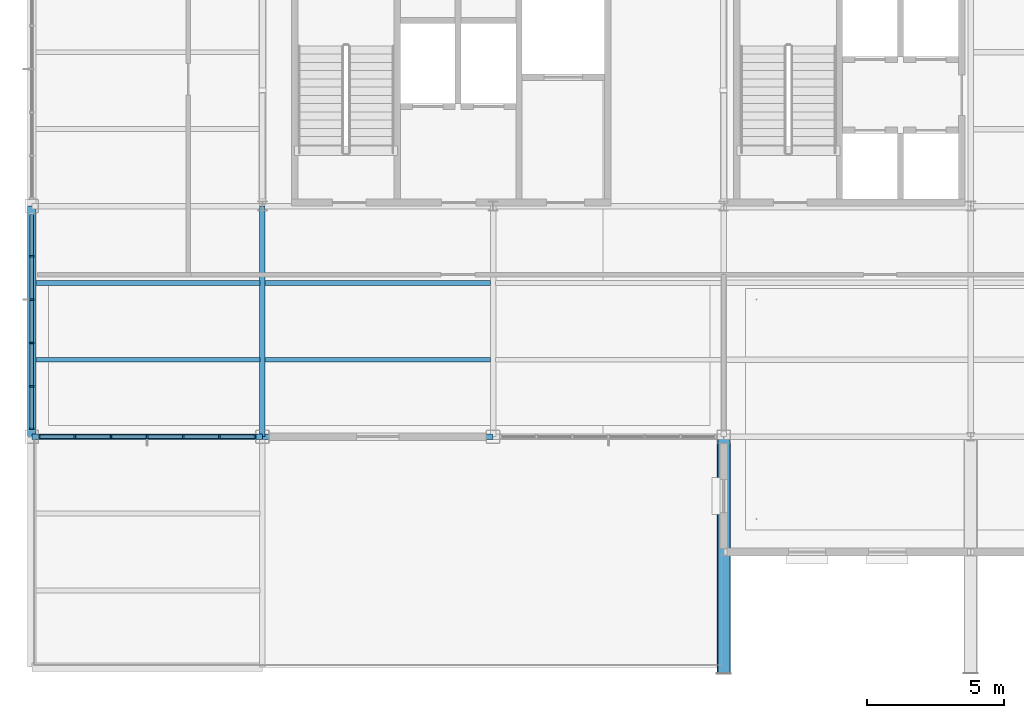
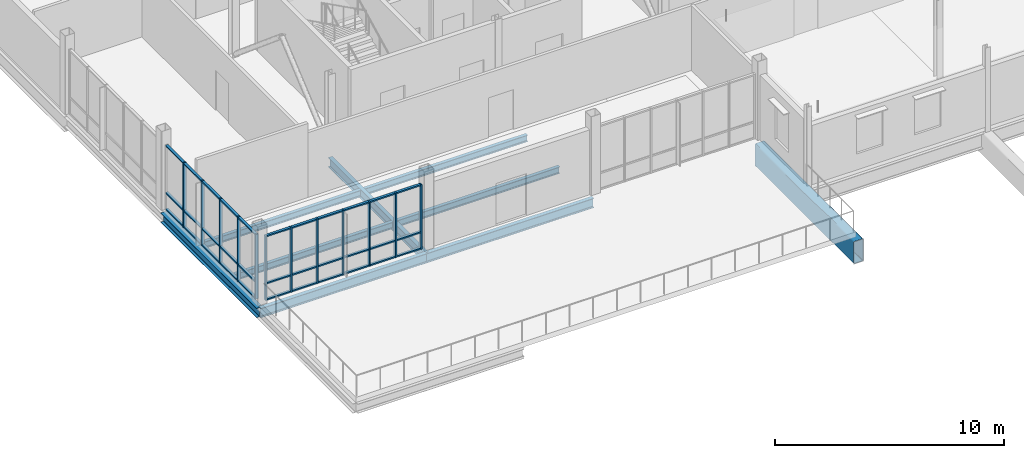
# One storey, part 4 of 22: 45 members, 9 beams, 2 elements without a shape of their own.
"""IFC4 building model written with IfcOpenShell, lengths in metres."""

from ifc_helpers import new_model, si_unit, direction, frame, origin, origin_2d, place, context, subcontext, project, spatial, rectangle, hollow_rectangle, i_section, extrude, material, layer, layer_set, material_profile, profile_set, type_object, element, aggregate, save


model = new_model("IFC4")

# Units and contexts
model_context = context("Model", 3, precision=1e-05, world=origin(), true_north=direction((0.0, 1.0)))
body_context = subcontext(model_context, "Body", "Model", "MODEL_VIEW")
ifc_project = project(units=[si_unit("LENGTHUNIT", "METRE"), si_unit("AREAUNIT", "SQUARE_METRE"), si_unit("VOLUMEUNIT", "CUBIC_METRE"), si_unit("PLANEANGLEUNIT", "RADIAN"), si_unit("MASSUNIT", "GRAM", prefix="KILO")], contexts=[model_context])

# Site, building, storey
site_placement = place(None, origin())
site = spatial("IfcSite", under=ifc_project, at=site_placement, CompositionType="ELEMENT")
building_placement = place(site_placement, origin())
building = spatial("IfcBuilding", under=site, at=building_placement, Name="Yukiwa Park Conservatory and Herbarium", CompositionType="ELEMENT")
storey_placement = place(building_placement, frame((0.0, 0.0, 35.39990234375)))
storey = spatial("IfcBuildingStorey", under=building, at=storey_placement, Name="L09", CompositionType="ELEMENT", Elevation=35.39990234375)

# Beams
ifc_material_1 = material(Name="Steel Q355D", Category="steel")
ifc_material_profile_1 = material_profile(ifc_material_1, i_section(OverallWidth=0.199951171875, OverallDepth=0.5, WebThickness=0.010009765625, FlangeThickness=0.01611328125, FilletRadius=0.02001953125, at=origin_2d()), Name="HN 500x200x10x16")
ifc_profile_set_1 = profile_set([ifc_material_profile_1], Name="Steel Q355D")
beam_type_1 = type_object("IfcBeamType", Name="BM-GRD-HN500", PredefinedType="BEAM", material=ifc_profile_set_1)
beam_1_placement = place(storey_placement, frame((124.805908203125, 86.39990234375, -0.554931640625), z_axis=(1.0, 0.0, 0.0), x_axis=(0.0, 1.0, 0.0)))
element("IfcBeam", 1, at=beam_1_placement, inside=storey, type_object=beam_type_1, Name="L09 grid beam X-4", PredefinedType="BEAM", context=body_context, shape_type="SweptSolid", body=[
    extrude(i_section(OverallWidth=0.199951171875, OverallDepth=0.5, WebThickness=0.010009765625, FlangeThickness=0.01611328125, FilletRadius=0.02001953125, at=origin_2d()), origin(), (0.0, 0.0, 1.0), 8.38818359375),
])
for number, where, z_axis, x_axis, name in (
    (2, (133.2060546875, 86.39990234375, -0.554931640625), (1.0, 0.0, 0.0), (0.0, 1.0, 0.0), "L09 grid beam X-5"),
    (3, (133.199951171875, 86.406005859375, -0.554931640625), (0.0, 1.0, 0.0), (-1.0, 0.0, 0.0), "L09 grid girder Y-29"),
):
    element("IfcBeam", number, at=place(storey_placement, frame(where, z_axis=z_axis, x_axis=x_axis)), inside=storey, type_object=beam_type_1, Name=name, PredefinedType="BEAM", context=body_context, shape_type="SweptSolid", body=[
        extrude(i_section(OverallWidth=0.199951171875, OverallDepth=0.5, WebThickness=0.010009765625, FlangeThickness=0.01611328125, FilletRadius=0.02001953125, at=origin_2d()), origin(), (0.0, 0.0, 1.0), 8.387939453125),
    ])
ifc_material_2 = material(Name="Steel Q355D", Category="steel")
ifc_material_profile_2 = material_profile(ifc_material_2, i_section(OverallWidth=0.175048828125, OverallDepth=0.35009765625, WebThickness=0.007080078125, FlangeThickness=0.010986328125, FilletRadius=0.013916015625, at=origin_2d()), Name="HN 350x175x7x11")
ifc_profile_set_2 = profile_set([ifc_material_profile_2], Name="Steel Q355D")
beam_type_2 = type_object("IfcBeamType", Name="BM-JST-HN350", PredefinedType="JOIST", material=ifc_profile_set_2)
for number, where, z_axis, x_axis, name in (
    (4, (124.946044921875, 89.199951171875, -0.47998046875), (1.0, 0.0, 0.0), (0.0, 1.0, 0.0), "L09 composite floor joist 3"),
    (5, (124.946044921875, 92.0, -0.47998046875), (1.0, 0.0, 0.0), (0.0, 1.0, 0.0), "L09 composite floor joist 4"),
):
    element("IfcBeam", number, at=place(storey_placement, frame(where, z_axis=z_axis, x_axis=x_axis)), inside=storey, type_object=beam_type_2, Name=name, PredefinedType="JOIST", context=body_context, shape_type="SweptSolid", body=[
        extrude(i_section(OverallWidth=0.175048828125, OverallDepth=0.35009765625, WebThickness=0.007080078125, FlangeThickness=0.010986328125, FilletRadius=0.013916015625, at=origin_2d()), origin(), (0.0, 0.0, 1.0), 8.157958984375),
    ])
for number, where, z_axis, x_axis, name in (
    (6, (133.2958984375, 89.199951171875, -0.47998046875), (1.0, 0.0, 0.0), (0.0, 1.0, 0.0), "L09 composite floor joist 9"),
    (7, (133.2958984375, 92.0, -0.47998046875), (1.0, 0.0, 0.0), (0.0, 1.0, 0.0), "L09 composite floor joist 10"),
):
    element("IfcBeam", number, at=place(storey_placement, frame(where, z_axis=z_axis, x_axis=x_axis)), inside=storey, type_object=beam_type_2, Name=name, PredefinedType="JOIST", context=body_context, shape_type="SweptSolid", body=[
        extrude(i_section(OverallWidth=0.175048828125, OverallDepth=0.35009765625, WebThickness=0.007080078125, FlangeThickness=0.010986328125, FilletRadius=0.013916015625, at=origin_2d()), origin(), (0.0, 0.0, 1.0), 8.2080078125),
    ])
ifc_material_3 = material(Name="Steel Q355D", Category="steel")
ifc_material_profile_3 = material_profile(ifc_material_3, i_section(OverallWidth=0.300048828125, OverallDepth=0.5, WebThickness=0.010986328125, FlangeThickness=0.01806640625, FilletRadius=0.02392578125, at=origin_2d()), Name="HM 500x300x11x18")
ifc_profile_set_3 = profile_set([ifc_material_profile_3], Name="Steel Q355D")
beam_type_3 = type_object("IfcBeamType", Name="BM-SPN-HN500", PredefinedType="SPANDREL", material=ifc_profile_set_3)
beam_2_placement = place(storey_placement, frame((124.800048828125, 86.406005859375, -0.554931640625), z_axis=(0.0, 1.0, 0.0), x_axis=(-1.0, 0.0, 0.0)))
element("IfcBeam", 8, at=beam_2_placement, inside=storey, type_object=beam_type_3, Name="L09 spandrel girder Y-25", PredefinedType="SPANDREL", context=body_context, shape_type="SweptSolid", body=[
    extrude(i_section(OverallWidth=0.300048828125, OverallDepth=0.5, WebThickness=0.010986328125, FlangeThickness=0.01806640625, FilletRadius=0.02392578125, at=origin_2d()), origin(), (0.0, 0.0, 1.0), 8.387939453125),
])
ifc_material_4 = material(Name="Steel Q355D", Category="steel")
ifc_material_profile_4 = material_profile(ifc_material_4, hollow_rectangle(XDim=0.5, YDim=1.199951171875, WallThickness=0.031982421875, InnerFilletRadius=0.031982421875, OuterFilletRadius=0.06396484375, at=origin_2d()), Name="BOX 1200x500x32")
ifc_profile_set_4 = profile_set([ifc_material_profile_4], Name="Steel Q355D")
beam_type_4 = type_object("IfcBeamType", Name="BM-TG2-1200", PredefinedType="BEAM", material=ifc_profile_set_4)
beam_3_placement = place(storey_placement, frame((150.0, 77.780029296875, -0.90478515625), z_axis=(0.0, 1.0, 0.0), x_axis=(-1.0, 0.0, 0.0)))
element("IfcBeam", 9, at=beam_3_placement, inside=storey, type_object=beam_type_4, Name="Transfer girder TG-2.1 at L09 south sky setback", PredefinedType="BEAM", context=body_context, shape_type="SweptSolid", body=[
    extrude(hollow_rectangle(XDim=0.5, YDim=1.199951171875, WallThickness=0.031982421875, InnerFilletRadius=0.031982421875, OuterFilletRadius=0.06396484375, at=origin_2d()), origin(), (0.0, 0.0, 1.0), 8.614013671875),
])

# Curtain wall, members
ifc_material_5 = material(Name="Triple Low-E Insulated Glass", Category="glass")
ifc_layer_1 = layer(ifc_material_5, 0.260009765625)
ifc_layer_set_1 = layer_set([ifc_layer_1], Name="Triple Low-E Insulated Glass")
curtain_wall_type_1 = type_object("IfcCurtainWallType", Name="CW-TOWER-LAB-W-1500", PredefinedType="NOTDEFINED", material=ifc_layer_set_1)
curtain_wall_1_placement = place(storey_placement, origin())
curtain_wall_1 = element("IfcCurtainWall", 10, at=curtain_wall_1_placement, inside=storey, type_object=curtain_wall_type_1, Name="L09 unitised curtain wall CW-L09-102", PredefinedType="NOTDEFINED")
ifc_material_6 = material(Name="Anodised Aluminium", Category="aluminium")
member_type_1 = type_object("IfcMemberType", Name="MB-CW-MUL-70X150", PredefinedType="MULLION", material=ifc_material_6)
member_1_placement = place(storey_placement, frame((124.800048828125, 92.969970703125, 0.0), z_axis=(0.0, 0.0, 1.0), x_axis=(0.0, -1.0, 0.0)))
member_1 = element("IfcMember", 11, at=member_1_placement, type_object=member_type_1, Name="CW-L09-102 mullion 2", PredefinedType="MULLION", context=body_context, shape_type="SweptSolid", body=[
    extrude(rectangle(XDim=0.070068359375, YDim=0.14990234375, at=origin_2d()), origin(), (0.0, 0.0, 1.0), 3.447998046875),
])
member_2_placement = place(storey_placement, frame((124.800048828125, 91.389892578125, 0.0), z_axis=(0.0, 0.0, 1.0), x_axis=(0.0, -1.0, 0.0)))
member_2 = element("IfcMember", 12, at=member_2_placement, type_object=member_type_1, Name="CW-L09-102 mullion 3", PredefinedType="MULLION", context=body_context, shape_type="SweptSolid", body=[
    extrude(rectangle(XDim=0.070068359375, YDim=0.14990234375, at=origin_2d()), origin(), (0.0, 0.0, 1.0), 3.447998046875),
])
member_3_placement = place(storey_placement, frame((124.800048828125, 89.81005859375, 0.0), z_axis=(0.0, 0.0, 1.0), x_axis=(0.0, -1.0, 0.0)))
member_3 = element("IfcMember", 13, at=member_3_placement, type_object=member_type_1, Name="CW-L09-102 mullion 4", PredefinedType="MULLION", context=body_context, shape_type="SweptSolid", body=[
    extrude(rectangle(XDim=0.070068359375, YDim=0.14990234375, at=origin_2d()), origin(), (0.0, 0.0, 1.0), 3.447998046875),
])
member_4_placement = place(storey_placement, frame((124.800048828125, 88.22998046875, 0.0), z_axis=(0.0, 0.0, 1.0), x_axis=(0.0, -1.0, 0.0)))
member_4 = element("IfcMember", 14, at=member_4_placement, type_object=member_type_1, Name="CW-L09-102 mullion 5", PredefinedType="MULLION", context=body_context, shape_type="SweptSolid", body=[
    extrude(rectangle(XDim=0.070068359375, YDim=0.14990234375, at=origin_2d()), origin(), (0.0, 0.0, 1.0), 3.447998046875),
])
member_5_placement = place(storey_placement, frame((124.800048828125, 86.68505859375, 0.0), z_axis=(0.0, 0.0, 1.0), x_axis=(0.0, -1.0, 0.0)))
member_5 = element("IfcMember", 15, at=member_5_placement, type_object=member_type_1, Name="CW-L09-102 mullion 6", PredefinedType="MULLION", context=body_context, shape_type="SweptSolid", body=[
    extrude(rectangle(XDim=0.070068359375, YDim=0.14990234375, at=origin_2d()), origin(), (0.0, 0.0, 1.0), 3.447998046875),
])

ifc_material_7 = material(Name="Triple Low-E Insulated Glass", Category="glass")
ifc_layer_2 = layer(ifc_material_7, 0.248046875)
ifc_layer_set_2 = layer_set([ifc_layer_2], Name="Triple Low-E Insulated Glass")
curtain_wall_type_2 = type_object("IfcCurtainWallType", Name="CW-TOWER-LAB-S-1400", PredefinedType="NOTDEFINED", material=ifc_layer_set_2)
curtain_wall_2_placement = place(storey_placement, origin())
curtain_wall_2 = element("IfcCurtainWall", 16, at=curtain_wall_2_placement, inside=storey, type_object=curtain_wall_type_2, Name="L09 unitised curtain wall CW-L09-103", PredefinedType="NOTDEFINED")
member_6_placement = place(storey_placement, frame((125.0849609375, 86.39990234375, 0.0), z_axis=(0.0, 0.0, 1.0), x_axis=(1.0, 0.0, 0.0)))
member_6 = element("IfcMember", 17, at=member_6_placement, type_object=member_type_1, Name="CW-L09-103 mullion 1", PredefinedType="MULLION", context=body_context, shape_type="SweptSolid", body=[
    extrude(rectangle(XDim=0.070068359375, YDim=0.14990234375, at=origin_2d()), origin(), (0.0, 0.0, 1.0), 3.447998046875),
])
member_7_placement = place(storey_placement, frame((126.36669921875, 86.39990234375, 0.0), z_axis=(0.0, 0.0, 1.0), x_axis=(1.0, 0.0, 0.0)))
member_7 = element("IfcMember", 18, at=member_7_placement, type_object=member_type_1, Name="CW-L09-103 mullion 2", PredefinedType="MULLION", context=body_context, shape_type="SweptSolid", body=[
    extrude(rectangle(XDim=0.070068359375, YDim=0.14990234375, at=origin_2d()), origin(), (0.0, 0.0, 1.0), 3.447998046875),
])
member_8_placement = place(storey_placement, frame((127.683349609375, 86.39990234375, 0.0), z_axis=(0.0, 0.0, 1.0), x_axis=(1.0, 0.0, 0.0)))
member_8 = element("IfcMember", 19, at=member_8_placement, type_object=member_type_1, Name="CW-L09-103 mullion 3", PredefinedType="MULLION", context=body_context, shape_type="SweptSolid", body=[
    extrude(rectangle(XDim=0.070068359375, YDim=0.14990234375, at=origin_2d()), origin(), (0.0, 0.0, 1.0), 3.447998046875),
])
member_9_placement = place(storey_placement, frame((129.0, 86.39990234375, 0.0), z_axis=(0.0, 0.0, 1.0), x_axis=(1.0, 0.0, 0.0)))
member_9 = element("IfcMember", 20, at=member_9_placement, type_object=member_type_1, Name="CW-L09-103 mullion 4", PredefinedType="MULLION", context=body_context, shape_type="SweptSolid", body=[
    extrude(rectangle(XDim=0.070068359375, YDim=0.14990234375, at=origin_2d()), origin(), (0.0, 0.0, 1.0), 3.447998046875),
])
member_10_placement = place(storey_placement, frame((130.316650390625, 86.39990234375, 0.0), z_axis=(0.0, 0.0, 1.0), x_axis=(1.0, 0.0, 0.0)))
member_10 = element("IfcMember", 21, at=member_10_placement, type_object=member_type_1, Name="CW-L09-103 mullion 5", PredefinedType="MULLION", context=body_context, shape_type="SweptSolid", body=[
    extrude(rectangle(XDim=0.070068359375, YDim=0.14990234375, at=origin_2d()), origin(), (0.0, 0.0, 1.0), 3.447998046875),
])
member_11_placement = place(storey_placement, frame((131.63330078125, 86.39990234375, 0.0), z_axis=(0.0, 0.0, 1.0), x_axis=(1.0, 0.0, 0.0)))
member_11 = element("IfcMember", 22, at=member_11_placement, type_object=member_type_1, Name="CW-L09-103 mullion 6", PredefinedType="MULLION", context=body_context, shape_type="SweptSolid", body=[
    extrude(rectangle(XDim=0.070068359375, YDim=0.14990234375, at=origin_2d()), origin(), (0.0, 0.0, 1.0), 3.447998046875),
])
member_12_placement = place(storey_placement, frame((132.9150390625, 86.39990234375, 0.0), z_axis=(0.0, 0.0, 1.0), x_axis=(1.0, 0.0, 0.0)))
member_12 = element("IfcMember", 23, at=member_12_placement, type_object=member_type_1, Name="CW-L09-103 mullion 7", PredefinedType="MULLION", context=body_context, shape_type="SweptSolid", body=[
    extrude(rectangle(XDim=0.070068359375, YDim=0.14990234375, at=origin_2d()), origin(), (0.0, 0.0, 1.0), 3.447998046875),
])

# Member
ifc_material_8 = material(Name="Anodised Aluminium", Category="aluminium")
member_type_2 = type_object("IfcMemberType", Name="MB-CW-TRN-70X130", PredefinedType="USERDEFINED", material=ifc_material_8)
member_13_placement = place(storey_placement, frame((124.800048828125, 93.760009765625, 0.0), z_axis=(0.0, 0.0, 1.0), x_axis=(0.0, -1.0, 0.0)))
member_13 = element("IfcMember", 24, at=member_13_placement, type_object=member_type_2, Name="CW-L09-102 transom 1.1", ObjectType="TRANSOM", PredefinedType="USERDEFINED", context=body_context, shape_type="SweptSolid", body=[
    extrude(rectangle(XDim=1.510009765625, YDim=0.1298828125, at=origin_2d()), origin(), (0.0, 0.0, 1.0), 0.070068359375),
])

member_14_placement = place(storey_placement, frame((124.800048828125, 93.760009765625, 0.865234375), z_axis=(0.0, 0.0, 1.0), x_axis=(0.0, -1.0, 0.0)))
member_14 = element("IfcMember", 25, at=member_14_placement, type_object=member_type_2, Name="CW-L09-102 transom 1.2", ObjectType="TRANSOM", PredefinedType="USERDEFINED", context=body_context, shape_type="SweptSolid", body=[
    extrude(rectangle(XDim=1.510009765625, YDim=0.1298828125, at=origin_2d()), origin(), (0.0, 0.0, 1.0), 0.070068359375),
])

member_15_placement = place(storey_placement, frame((124.800048828125, 93.760009765625, 3.3779296875), z_axis=(0.0, 0.0, 1.0), x_axis=(0.0, -1.0, 0.0)))
member_15 = element("IfcMember", 26, at=member_15_placement, type_object=member_type_2, Name="CW-L09-102 transom 1.3", ObjectType="TRANSOM", PredefinedType="USERDEFINED", context=body_context, shape_type="SweptSolid", body=[
    extrude(rectangle(XDim=1.510009765625, YDim=0.1298828125, at=origin_2d()), origin(), (0.0, 0.0, 1.0), 0.070068359375),
])

member_16_placement = place(storey_placement, frame((124.800048828125, 92.179931640625, 0.0), z_axis=(0.0, 0.0, 1.0), x_axis=(0.0, -1.0, 0.0)))
member_16 = element("IfcMember", 27, at=member_16_placement, type_object=member_type_2, Name="CW-L09-102 transom 2.1", ObjectType="TRANSOM", PredefinedType="USERDEFINED", context=body_context, shape_type="SweptSolid", body=[
    extrude(rectangle(XDim=1.510009765625, YDim=0.1298828125, at=origin_2d()), origin(), (0.0, 0.0, 1.0), 0.070068359375),
])

member_17_placement = place(storey_placement, frame((124.800048828125, 92.179931640625, 0.865234375), z_axis=(0.0, 0.0, 1.0), x_axis=(0.0, -1.0, 0.0)))
member_17 = element("IfcMember", 28, at=member_17_placement, type_object=member_type_2, Name="CW-L09-102 transom 2.2", ObjectType="TRANSOM", PredefinedType="USERDEFINED", context=body_context, shape_type="SweptSolid", body=[
    extrude(rectangle(XDim=1.510009765625, YDim=0.1298828125, at=origin_2d()), origin(), (0.0, 0.0, 1.0), 0.070068359375),
])

member_18_placement = place(storey_placement, frame((124.800048828125, 92.179931640625, 3.3779296875), z_axis=(0.0, 0.0, 1.0), x_axis=(0.0, -1.0, 0.0)))
member_18 = element("IfcMember", 29, at=member_18_placement, type_object=member_type_2, Name="CW-L09-102 transom 2.3", ObjectType="TRANSOM", PredefinedType="USERDEFINED", context=body_context, shape_type="SweptSolid", body=[
    extrude(rectangle(XDim=1.510009765625, YDim=0.1298828125, at=origin_2d()), origin(), (0.0, 0.0, 1.0), 0.070068359375),
])

member_19_placement = place(storey_placement, frame((124.800048828125, 90.60009765625, 0.0), z_axis=(0.0, 0.0, 1.0), x_axis=(0.0, -1.0, 0.0)))
member_19 = element("IfcMember", 30, at=member_19_placement, type_object=member_type_2, Name="CW-L09-102 transom 3.1", ObjectType="TRANSOM", PredefinedType="USERDEFINED", context=body_context, shape_type="SweptSolid", body=[
    extrude(rectangle(XDim=1.510009765625, YDim=0.1298828125, at=origin_2d()), origin(), (0.0, 0.0, 1.0), 0.070068359375),
])

member_20_placement = place(storey_placement, frame((124.800048828125, 90.60009765625, 0.865234375), z_axis=(0.0, 0.0, 1.0), x_axis=(0.0, -1.0, 0.0)))
member_20 = element("IfcMember", 31, at=member_20_placement, type_object=member_type_2, Name="CW-L09-102 transom 3.2", ObjectType="TRANSOM", PredefinedType="USERDEFINED", context=body_context, shape_type="SweptSolid", body=[
    extrude(rectangle(XDim=1.510009765625, YDim=0.1298828125, at=origin_2d()), origin(), (0.0, 0.0, 1.0), 0.070068359375),
])

member_21_placement = place(storey_placement, frame((124.800048828125, 90.60009765625, 3.3779296875), z_axis=(0.0, 0.0, 1.0), x_axis=(0.0, -1.0, 0.0)))
member_21 = element("IfcMember", 32, at=member_21_placement, type_object=member_type_2, Name="CW-L09-102 transom 3.3", ObjectType="TRANSOM", PredefinedType="USERDEFINED", context=body_context, shape_type="SweptSolid", body=[
    extrude(rectangle(XDim=1.510009765625, YDim=0.1298828125, at=origin_2d()), origin(), (0.0, 0.0, 1.0), 0.070068359375),
])

member_22_placement = place(storey_placement, frame((124.800048828125, 89.02001953125, 0.0), z_axis=(0.0, 0.0, 1.0), x_axis=(0.0, -1.0, 0.0)))
member_22 = element("IfcMember", 33, at=member_22_placement, type_object=member_type_2, Name="CW-L09-102 transom 4.1", ObjectType="TRANSOM", PredefinedType="USERDEFINED", context=body_context, shape_type="SweptSolid", body=[
    extrude(rectangle(XDim=1.510009765625, YDim=0.1298828125, at=origin_2d()), origin(), (0.0, 0.0, 1.0), 0.070068359375),
])

member_23_placement = place(storey_placement, frame((124.800048828125, 89.02001953125, 0.865234375), z_axis=(0.0, 0.0, 1.0), x_axis=(0.0, -1.0, 0.0)))
member_23 = element("IfcMember", 34, at=member_23_placement, type_object=member_type_2, Name="CW-L09-102 transom 4.2", ObjectType="TRANSOM", PredefinedType="USERDEFINED", context=body_context, shape_type="SweptSolid", body=[
    extrude(rectangle(XDim=1.510009765625, YDim=0.1298828125, at=origin_2d()), origin(), (0.0, 0.0, 1.0), 0.070068359375),
])

member_24_placement = place(storey_placement, frame((124.800048828125, 89.02001953125, 3.3779296875), z_axis=(0.0, 0.0, 1.0), x_axis=(0.0, -1.0, 0.0)))
member_24 = element("IfcMember", 35, at=member_24_placement, type_object=member_type_2, Name="CW-L09-102 transom 4.3", ObjectType="TRANSOM", PredefinedType="USERDEFINED", context=body_context, shape_type="SweptSolid", body=[
    extrude(rectangle(XDim=1.510009765625, YDim=0.1298828125, at=origin_2d()), origin(), (0.0, 0.0, 1.0), 0.070068359375),
])

member_25_placement = place(storey_placement, frame((124.800048828125, 87.43994140625, 0.0), z_axis=(0.0, 0.0, 1.0), x_axis=(0.0, -1.0, 0.0)))
member_25 = element("IfcMember", 36, at=member_25_placement, type_object=member_type_2, Name="CW-L09-102 transom 5.1", ObjectType="TRANSOM", PredefinedType="USERDEFINED", context=body_context, shape_type="SweptSolid", body=[
    extrude(rectangle(XDim=1.510009765625, YDim=0.1298828125, at=origin_2d()), origin(), (0.0, 0.0, 1.0), 0.070068359375),
])

member_26_placement = place(storey_placement, frame((124.800048828125, 87.43994140625, 0.865234375), z_axis=(0.0, 0.0, 1.0), x_axis=(0.0, -1.0, 0.0)))
member_26 = element("IfcMember", 37, at=member_26_placement, type_object=member_type_2, Name="CW-L09-102 transom 5.2", ObjectType="TRANSOM", PredefinedType="USERDEFINED", context=body_context, shape_type="SweptSolid", body=[
    extrude(rectangle(XDim=1.510009765625, YDim=0.1298828125, at=origin_2d()), origin(), (0.0, 0.0, 1.0), 0.070068359375),
])

member_27_placement = place(storey_placement, frame((124.800048828125, 87.43994140625, 3.3779296875), z_axis=(0.0, 0.0, 1.0), x_axis=(0.0, -1.0, 0.0)))
member_27 = element("IfcMember", 38, at=member_27_placement, type_object=member_type_2, Name="CW-L09-102 transom 5.3", ObjectType="TRANSOM", PredefinedType="USERDEFINED", context=body_context, shape_type="SweptSolid", body=[
    extrude(rectangle(XDim=1.510009765625, YDim=0.1298828125, at=origin_2d()), origin(), (0.0, 0.0, 1.0), 0.070068359375),
])

aggregate(curtain_wall_1, [member_1, member_2, member_3, member_4, member_5, member_13, member_14, member_15, member_16, member_17, member_18, member_19, member_20, member_21, member_22, member_23, member_24, member_25, member_26, member_27])

member_28_placement = place(storey_placement, frame((125.708251953125, 86.39990234375, 0.0), z_axis=(0.0, 0.0, 1.0), x_axis=(1.0, 0.0, 0.0)))
member_28 = element("IfcMember", 39, at=member_28_placement, type_object=member_type_2, Name="CW-L09-103 transom 1.1", ObjectType="TRANSOM", PredefinedType="USERDEFINED", context=body_context, shape_type="SweptSolid", body=[
    extrude(rectangle(XDim=1.24658203125, YDim=0.1298828125, at=origin_2d()), origin(), (0.0, 0.0, 1.0), 0.070068359375),
])

member_29_placement = place(storey_placement, frame((125.708251953125, 86.39990234375, 0.865234375), z_axis=(0.0, 0.0, 1.0), x_axis=(1.0, 0.0, 0.0)))
member_29 = element("IfcMember", 40, at=member_29_placement, type_object=member_type_2, Name="CW-L09-103 transom 1.2", ObjectType="TRANSOM", PredefinedType="USERDEFINED", context=body_context, shape_type="SweptSolid", body=[
    extrude(rectangle(XDim=1.24658203125, YDim=0.1298828125, at=origin_2d()), origin(), (0.0, 0.0, 1.0), 0.070068359375),
])

member_30_placement = place(storey_placement, frame((125.708251953125, 86.39990234375, 3.3779296875), z_axis=(0.0, 0.0, 1.0), x_axis=(1.0, 0.0, 0.0)))
member_30 = element("IfcMember", 41, at=member_30_placement, type_object=member_type_2, Name="CW-L09-103 transom 1.3", ObjectType="TRANSOM", PredefinedType="USERDEFINED", context=body_context, shape_type="SweptSolid", body=[
    extrude(rectangle(XDim=1.24658203125, YDim=0.1298828125, at=origin_2d()), origin(), (0.0, 0.0, 1.0), 0.070068359375),
])

member_31_placement = place(storey_placement, frame((127.02490234375, 86.39990234375, 0.0), z_axis=(0.0, 0.0, 1.0), x_axis=(1.0, 0.0, 0.0)))
member_31 = element("IfcMember", 42, at=member_31_placement, type_object=member_type_2, Name="CW-L09-103 transom 2.1", ObjectType="TRANSOM", PredefinedType="USERDEFINED", context=body_context, shape_type="SweptSolid", body=[
    extrude(rectangle(XDim=1.24658203125, YDim=0.1298828125, at=origin_2d()), origin(), (0.0, 0.0, 1.0), 0.070068359375),
])

member_32_placement = place(storey_placement, frame((127.02490234375, 86.39990234375, 0.865234375), z_axis=(0.0, 0.0, 1.0), x_axis=(1.0, 0.0, 0.0)))
member_32 = element("IfcMember", 43, at=member_32_placement, type_object=member_type_2, Name="CW-L09-103 transom 2.2", ObjectType="TRANSOM", PredefinedType="USERDEFINED", context=body_context, shape_type="SweptSolid", body=[
    extrude(rectangle(XDim=1.24658203125, YDim=0.1298828125, at=origin_2d()), origin(), (0.0, 0.0, 1.0), 0.070068359375),
])

member_33_placement = place(storey_placement, frame((127.02490234375, 86.39990234375, 3.3779296875), z_axis=(0.0, 0.0, 1.0), x_axis=(1.0, 0.0, 0.0)))
member_33 = element("IfcMember", 44, at=member_33_placement, type_object=member_type_2, Name="CW-L09-103 transom 2.3", ObjectType="TRANSOM", PredefinedType="USERDEFINED", context=body_context, shape_type="SweptSolid", body=[
    extrude(rectangle(XDim=1.24658203125, YDim=0.1298828125, at=origin_2d()), origin(), (0.0, 0.0, 1.0), 0.070068359375),
])

member_34_placement = place(storey_placement, frame((128.341796875, 86.39990234375, 0.0), z_axis=(0.0, 0.0, 1.0), x_axis=(1.0, 0.0, 0.0)))
member_34 = element("IfcMember", 45, at=member_34_placement, type_object=member_type_2, Name="CW-L09-103 transom 3.1", ObjectType="TRANSOM", PredefinedType="USERDEFINED", context=body_context, shape_type="SweptSolid", body=[
    extrude(rectangle(XDim=1.24658203125, YDim=0.1298828125, at=origin_2d()), origin(), (0.0, 0.0, 1.0), 0.070068359375),
])

member_35_placement = place(storey_placement, frame((128.341796875, 86.39990234375, 0.865234375), z_axis=(0.0, 0.0, 1.0), x_axis=(1.0, 0.0, 0.0)))
member_35 = element("IfcMember", 46, at=member_35_placement, type_object=member_type_2, Name="CW-L09-103 transom 3.2", ObjectType="TRANSOM", PredefinedType="USERDEFINED", context=body_context, shape_type="SweptSolid", body=[
    extrude(rectangle(XDim=1.24658203125, YDim=0.1298828125, at=origin_2d()), origin(), (0.0, 0.0, 1.0), 0.070068359375),
])

member_36_placement = place(storey_placement, frame((128.341796875, 86.39990234375, 3.3779296875), z_axis=(0.0, 0.0, 1.0), x_axis=(1.0, 0.0, 0.0)))
member_36 = element("IfcMember", 47, at=member_36_placement, type_object=member_type_2, Name="CW-L09-103 transom 3.3", ObjectType="TRANSOM", PredefinedType="USERDEFINED", context=body_context, shape_type="SweptSolid", body=[
    extrude(rectangle(XDim=1.24658203125, YDim=0.1298828125, at=origin_2d()), origin(), (0.0, 0.0, 1.0), 0.070068359375),
])

member_37_placement = place(storey_placement, frame((129.658203125, 86.39990234375, 0.0), z_axis=(0.0, 0.0, 1.0), x_axis=(1.0, 0.0, 0.0)))
member_37 = element("IfcMember", 48, at=member_37_placement, type_object=member_type_2, Name="CW-L09-103 transom 4.1", ObjectType="TRANSOM", PredefinedType="USERDEFINED", context=body_context, shape_type="SweptSolid", body=[
    extrude(rectangle(XDim=1.24658203125, YDim=0.1298828125, at=origin_2d()), origin(), (0.0, 0.0, 1.0), 0.070068359375),
])

member_38_placement = place(storey_placement, frame((129.658203125, 86.39990234375, 0.865234375), z_axis=(0.0, 0.0, 1.0), x_axis=(1.0, 0.0, 0.0)))
member_38 = element("IfcMember", 49, at=member_38_placement, type_object=member_type_2, Name="CW-L09-103 transom 4.2", ObjectType="TRANSOM", PredefinedType="USERDEFINED", context=body_context, shape_type="SweptSolid", body=[
    extrude(rectangle(XDim=1.24658203125, YDim=0.1298828125, at=origin_2d()), origin(), (0.0, 0.0, 1.0), 0.070068359375),
])

member_39_placement = place(storey_placement, frame((129.658203125, 86.39990234375, 3.3779296875), z_axis=(0.0, 0.0, 1.0), x_axis=(1.0, 0.0, 0.0)))
member_39 = element("IfcMember", 50, at=member_39_placement, type_object=member_type_2, Name="CW-L09-103 transom 4.3", ObjectType="TRANSOM", PredefinedType="USERDEFINED", context=body_context, shape_type="SweptSolid", body=[
    extrude(rectangle(XDim=1.24658203125, YDim=0.1298828125, at=origin_2d()), origin(), (0.0, 0.0, 1.0), 0.070068359375),
])

member_40_placement = place(storey_placement, frame((130.97509765625, 86.39990234375, 0.0), z_axis=(0.0, 0.0, 1.0), x_axis=(1.0, 0.0, 0.0)))
member_40 = element("IfcMember", 51, at=member_40_placement, type_object=member_type_2, Name="CW-L09-103 transom 5.1", ObjectType="TRANSOM", PredefinedType="USERDEFINED", context=body_context, shape_type="SweptSolid", body=[
    extrude(rectangle(XDim=1.24658203125, YDim=0.1298828125, at=origin_2d()), origin(), (0.0, 0.0, 1.0), 0.070068359375),
])

member_41_placement = place(storey_placement, frame((130.97509765625, 86.39990234375, 0.865234375), z_axis=(0.0, 0.0, 1.0), x_axis=(1.0, 0.0, 0.0)))
member_41 = element("IfcMember", 52, at=member_41_placement, type_object=member_type_2, Name="CW-L09-103 transom 5.2", ObjectType="TRANSOM", PredefinedType="USERDEFINED", context=body_context, shape_type="SweptSolid", body=[
    extrude(rectangle(XDim=1.24658203125, YDim=0.1298828125, at=origin_2d()), origin(), (0.0, 0.0, 1.0), 0.070068359375),
])

member_42_placement = place(storey_placement, frame((130.97509765625, 86.39990234375, 3.3779296875), z_axis=(0.0, 0.0, 1.0), x_axis=(1.0, 0.0, 0.0)))
member_42 = element("IfcMember", 53, at=member_42_placement, type_object=member_type_2, Name="CW-L09-103 transom 5.3", ObjectType="TRANSOM", PredefinedType="USERDEFINED", context=body_context, shape_type="SweptSolid", body=[
    extrude(rectangle(XDim=1.24658203125, YDim=0.1298828125, at=origin_2d()), origin(), (0.0, 0.0, 1.0), 0.070068359375),
])

member_43_placement = place(storey_placement, frame((132.291748046875, 86.39990234375, 0.0), z_axis=(0.0, 0.0, 1.0), x_axis=(1.0, 0.0, 0.0)))
member_43 = element("IfcMember", 54, at=member_43_placement, type_object=member_type_2, Name="CW-L09-103 transom 6.1", ObjectType="TRANSOM", PredefinedType="USERDEFINED", context=body_context, shape_type="SweptSolid", body=[
    extrude(rectangle(XDim=1.24658203125, YDim=0.1298828125, at=origin_2d()), origin(), (0.0, 0.0, 1.0), 0.070068359375),
])

member_44_placement = place(storey_placement, frame((132.291748046875, 86.39990234375, 0.865234375), z_axis=(0.0, 0.0, 1.0), x_axis=(1.0, 0.0, 0.0)))
member_44 = element("IfcMember", 55, at=member_44_placement, type_object=member_type_2, Name="CW-L09-103 transom 6.2", ObjectType="TRANSOM", PredefinedType="USERDEFINED", context=body_context, shape_type="SweptSolid", body=[
    extrude(rectangle(XDim=1.24658203125, YDim=0.1298828125, at=origin_2d()), origin(), (0.0, 0.0, 1.0), 0.070068359375),
])

member_45_placement = place(storey_placement, frame((132.291748046875, 86.39990234375, 3.3779296875), z_axis=(0.0, 0.0, 1.0), x_axis=(1.0, 0.0, 0.0)))
member_45 = element("IfcMember", 56, at=member_45_placement, type_object=member_type_2, Name="CW-L09-103 transom 6.3", ObjectType="TRANSOM", PredefinedType="USERDEFINED", context=body_context, shape_type="SweptSolid", body=[
    extrude(rectangle(XDim=1.24658203125, YDim=0.1298828125, at=origin_2d()), origin(), (0.0, 0.0, 1.0), 0.070068359375),
])

aggregate(curtain_wall_2, [member_6, member_7, member_8, member_9, member_10, member_11, member_12, member_28, member_29, member_30, member_31, member_32, member_33, member_34, member_35, member_36, member_37, member_38, member_39, member_40, member_41, member_42, member_43, member_44, member_45])

save(model, "model.ifc")
